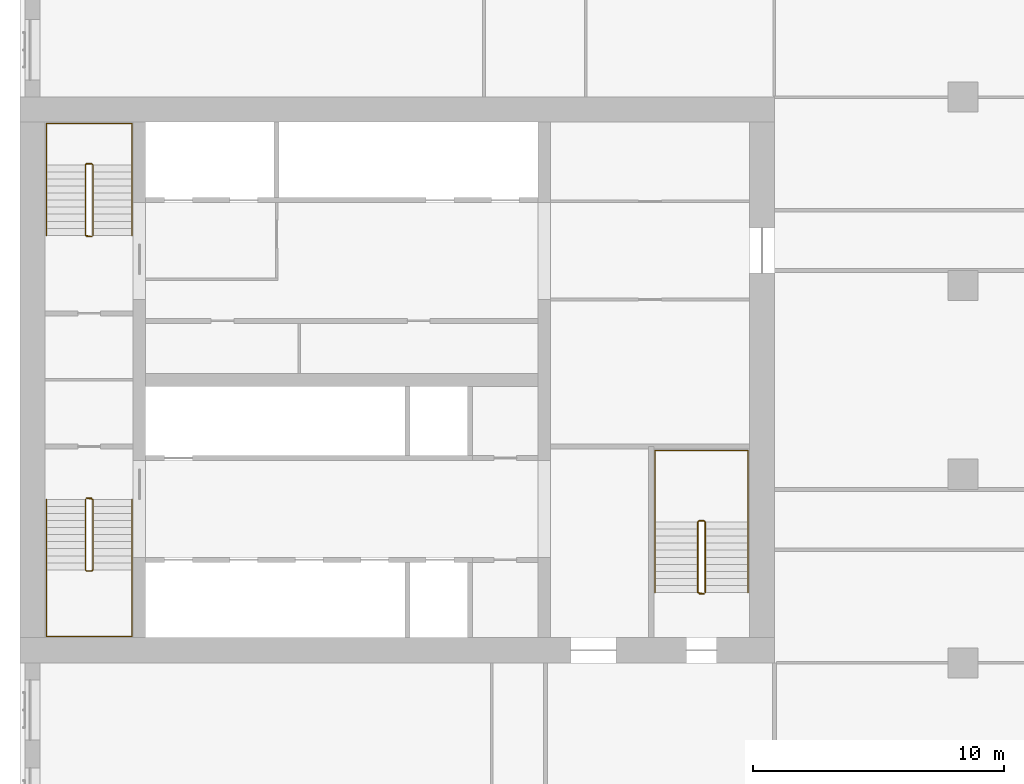
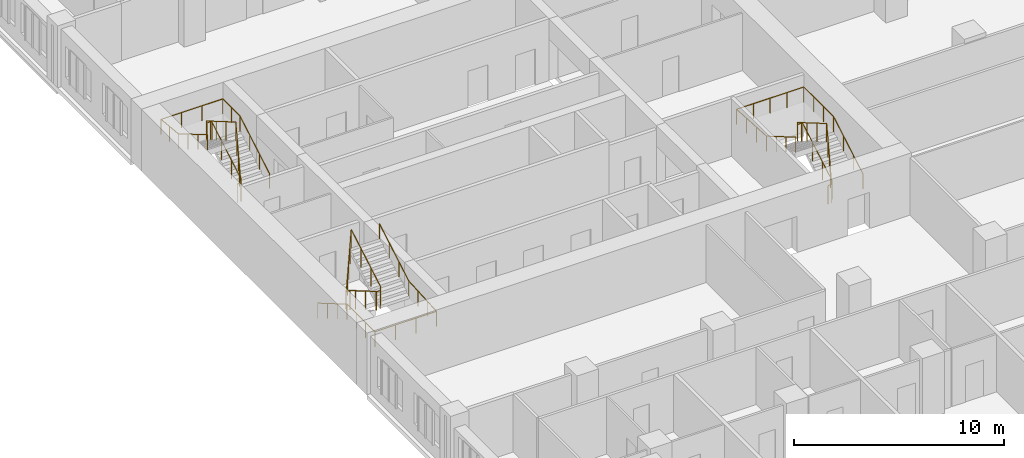
# One storey, part 14 of 14: 6 railings.
"""IFC4 building model written with IfcOpenShell, lengths in metres."""

from ifc_helpers import new_model, si_unit, direction, frame, origin, origin_2d, place, context, subcontext, project, spatial, circle, extrude, material, type_object, element, save


model = new_model("IFC4")

# Units and contexts
model_context = context("Model", 3, precision=1e-05, world=origin(), true_north=direction((0.0, 1.0)))
body_context = subcontext(model_context, "Body", "Model", "MODEL_VIEW")
ifc_project = project(units=[si_unit("LENGTHUNIT", "METRE"), si_unit("AREAUNIT", "SQUARE_METRE"), si_unit("VOLUMEUNIT", "CUBIC_METRE"), si_unit("PLANEANGLEUNIT", "RADIAN"), si_unit("MASSUNIT", "GRAM", prefix="KILO")], contexts=[model_context])

# Site, building, storey
site_placement = place(None, origin())
site = spatial("IfcSite", under=ifc_project, at=site_placement, CompositionType="ELEMENT")
building_placement = place(site_placement, origin())
building = spatial("IfcBuilding", under=site, at=building_placement, Name="Tamorin Gate", CompositionType="ELEMENT")
storey_placement = place(building_placement, frame((0.0, 0.0, 52.0)))
storey = spatial("IfcBuildingStorey", under=building, at=storey_placement, Name="L11", CompositionType="ELEMENT", Elevation=52.0)

# Railings
ifc_material_1 = material(Name="Painted steel balustrade", Category="steel")
railing_type_1 = type_object("IfcRailingType", Name="Stair guard 1100", PredefinedType="GUARDRAIL", material=ifc_material_1)
railing_1_placement = place(storey_placement, frame((32.60009765625, 66.5, 0.16357421875)))
element("IfcRailing", 1, at=railing_1_placement, inside=storey, type_object=railing_type_1, Name="L11 ST1 stair guard 1", PredefinedType="GUARDRAIL", context=body_context, shape_type="SweptSolid", body=[
    extrude(circle(Radius=0.02392578125, at=origin_2d()), frame((0.0, 0.0, 1.076171875), z_axis=(0.0, -0.863360870873, 0.504586966384), x_axis=(1.0, 0.0, 0.0)), (0.0, 0.0, 1.0), 3.2431640625),
    extrude(circle(Radius=0.02392578125, at=origin_2d()), frame((0.0, -2.800048828125, 2.71240234375), z_axis=(0.705375805398, -0.708833529934, 0.0), x_axis=(0.708833529934, 0.705375805398, 0.0)), (0.0, 0.0, 1.0), 0.070556640625),
    extrude(circle(Radius=0.02392578125, at=origin_2d()), frame((0.0498046875, -2.85009765625, 2.71240234375), z_axis=(1.0, 0.0, 0.0), x_axis=(0.0, 1.0, 0.0)), (0.0, 0.0, 1.0), 0.2001953125),
    extrude(circle(Radius=0.02392578125, at=origin_2d()), frame((0.25, -2.85009765625, 2.71240234375), z_axis=(0.279546231943, 0.280916556609, 0.91811752648), x_axis=(-0.708833529934, 0.705375805398, 0.0)), (0.0, 0.0, 1.0), 0.17822265625),
    extrude(circle(Radius=0.02392578125, at=origin_2d()), frame((0.2998046875, -2.800048828125, 2.8759765625), z_axis=(0.0, 0.863360870873, 0.504586966384), x_axis=(-1.0, 0.0, 0.0)), (0.0, 0.0, 1.0), 3.2431640625),
    extrude(circle(Radius=0.02392578125, at=origin_2d()), frame((0.2998046875, 0.0, 4.5126953125), z_axis=(-0.069269067181, 0.013867342551, -0.997501625634), x_axis=(-0.196300278283, -0.98054382908, 0.0)), (0.0, 0.0, 1.0), 3.609130859375),
    extrude(circle(Radius=0.02392578125, at=origin_2d()), frame((0.0498046875, 0.050048828125, 0.91259765625), z_axis=(1.0, 0.0, 0.0), x_axis=(0.0, 1.0, 0.0)), (0.0, 0.0, 1.0), 0.2001953125),
    extrude(circle(Radius=0.02099609375, at=origin_2d()), origin(), (0.0, 0.0, 1.0), 1.052001953125),
    extrude(circle(Radius=0.02099609375, at=origin_2d()), frame((0.0, -0.933349609375, 0.54541015625)), (0.0, 0.0, 1.0), 1.052001953125),
    extrude(circle(Radius=0.02099609375, at=origin_2d()), frame((0.0, -1.86669921875, 1.091064453125)), (0.0, 0.0, 1.0), 1.052001953125),
    extrude(circle(Radius=0.02099609375, at=origin_2d()), frame((0.0, -2.800048828125, 1.636474609375)), (0.0, 0.0, 1.0), 1.052001953125),
    extrude(circle(Radius=0.02099609375, at=origin_2d()), frame((0.0498046875, -2.85009765625, 1.636474609375)), (0.0, 0.0, 1.0), 1.052001953125),
    extrude(circle(Radius=0.02099609375, at=origin_2d()), frame((0.25, -2.85009765625, 1.636474609375)), (0.0, 0.0, 1.0), 1.052001953125),
    extrude(circle(Radius=0.02099609375, at=origin_2d()), frame((0.2998046875, -2.800048828125, 1.800048828125)), (0.0, 0.0, 1.0), 1.052001953125),
    extrude(circle(Radius=0.02099609375, at=origin_2d()), frame((0.2998046875, -1.86669921875, 2.345458984375)), (0.0, 0.0, 1.0), 1.052001953125),
    extrude(circle(Radius=0.02099609375, at=origin_2d()), frame((0.2998046875, -0.933349609375, 2.89111328125)), (0.0, 0.0, 1.0), 1.052001953125),
    extrude(circle(Radius=0.02099609375, at=origin_2d()), frame((0.2998046875, 0.0, 3.4365234375)), (0.0, 0.0, 1.0), 1.052001953125),
    extrude(circle(Radius=0.02099609375, at=origin_2d()), frame((0.2373046875, 0.012451171875, 2.53662109375)), (0.0, 0.0, 1.0), 1.052001953125),
    extrude(circle(Radius=0.02099609375, at=origin_2d()), frame((0.1748046875, 0.02490234375, 1.636474609375)), (0.0, 0.0, 1.0), 1.052001953125),
    extrude(circle(Radius=0.02099609375, at=origin_2d()), frame((0.1123046875, 0.03759765625, 0.736328125)), (0.0, 0.0, 1.0), 1.052001953125),
    extrude(circle(Radius=0.02099609375, at=origin_2d()), frame((0.0498046875, 0.050048828125, -0.16357421875)), (0.0, 0.0, 1.0), 1.052001953125),
    extrude(circle(Radius=0.02099609375, at=origin_2d()), frame((0.25, 0.050048828125, -0.16357421875)), (0.0, 0.0, 1.0), 1.052001953125),
])
railing_2_placement = place(storey_placement, frame((32.89990234375, 77.0, 0.16357421875)))
element("IfcRailing", 2, at=railing_2_placement, inside=storey, type_object=railing_type_1, Name="L11 ST2 stair guard 1", PredefinedType="GUARDRAIL", context=body_context, shape_type="SweptSolid", body=[
    extrude(circle(Radius=0.02392578125, at=origin_2d()), frame((0.0, 0.0, 1.076171875), z_axis=(0.0, 0.863360870873, 0.504586966384), x_axis=(-1.0, 0.0, 0.0)), (0.0, 0.0, 1.0), 3.2431640625),
    extrude(circle(Radius=0.02392578125, at=origin_2d()), frame((0.0, 2.800048828125, 2.71240234375), z_axis=(-0.705375805398, 0.708833529934, 0.0), x_axis=(-0.708833529934, -0.705375805398, 0.0)), (0.0, 0.0, 1.0), 0.070556640625),
    extrude(circle(Radius=0.02392578125, at=origin_2d()), frame((-0.0498046875, 2.85009765625, 2.71240234375), z_axis=(-1.0, 0.0, 0.0), x_axis=(0.0, -1.0, 0.0)), (0.0, 0.0, 1.0), 0.2001953125),
    extrude(circle(Radius=0.02392578125, at=origin_2d()), frame((-0.25, 2.85009765625, 2.71240234375), z_axis=(-0.279546231943, -0.280916556609, 0.91811752648), x_axis=(0.708833529934, -0.705375805398, 0.0)), (0.0, 0.0, 1.0), 0.17822265625),
    extrude(circle(Radius=0.02392578125, at=origin_2d()), frame((-0.2998046875, 2.800048828125, 2.8759765625), z_axis=(0.0, -0.863360870873, 0.504586966384), x_axis=(1.0, 0.0, 0.0)), (0.0, 0.0, 1.0), 3.2431640625),
    extrude(circle(Radius=0.02392578125, at=origin_2d()), frame((-0.2998046875, 0.0, 4.5126953125), z_axis=(0.069269067181, -0.013867342551, -0.997501625634), x_axis=(0.196300278283, 0.98054382908, 0.0)), (0.0, 0.0, 1.0), 3.609130859375),
    extrude(circle(Radius=0.02392578125, at=origin_2d()), frame((-0.0498046875, -0.050048828125, 0.91259765625), z_axis=(-1.0, 0.0, 0.0), x_axis=(0.0, -1.0, 0.0)), (0.0, 0.0, 1.0), 0.2001953125),
    extrude(circle(Radius=0.02099609375, at=origin_2d()), origin(), (0.0, 0.0, 1.0), 1.052001953125),
    extrude(circle(Radius=0.02099609375, at=origin_2d()), frame((0.0, 0.933349609375, 0.54541015625)), (0.0, 0.0, 1.0), 1.052001953125),
    extrude(circle(Radius=0.02099609375, at=origin_2d()), frame((0.0, 1.86669921875, 1.091064453125)), (0.0, 0.0, 1.0), 1.052001953125),
    extrude(circle(Radius=0.02099609375, at=origin_2d()), frame((0.0, 2.800048828125, 1.636474609375)), (0.0, 0.0, 1.0), 1.052001953125),
    extrude(circle(Radius=0.02099609375, at=origin_2d()), frame((-0.0498046875, 2.85009765625, 1.636474609375)), (0.0, 0.0, 1.0), 1.052001953125),
    extrude(circle(Radius=0.02099609375, at=origin_2d()), frame((-0.25, 2.85009765625, 1.636474609375)), (0.0, 0.0, 1.0), 1.052001953125),
    extrude(circle(Radius=0.02099609375, at=origin_2d()), frame((-0.2998046875, 2.800048828125, 1.800048828125)), (0.0, 0.0, 1.0), 1.052001953125),
    extrude(circle(Radius=0.02099609375, at=origin_2d()), frame((-0.2998046875, 1.86669921875, 2.345458984375)), (0.0, 0.0, 1.0), 1.052001953125),
    extrude(circle(Radius=0.02099609375, at=origin_2d()), frame((-0.2998046875, 0.933349609375, 2.89111328125)), (0.0, 0.0, 1.0), 1.052001953125),
    extrude(circle(Radius=0.02099609375, at=origin_2d()), frame((-0.2998046875, 0.0, 3.4365234375)), (0.0, 0.0, 1.0), 1.052001953125),
    extrude(circle(Radius=0.02099609375, at=origin_2d()), frame((-0.2373046875, -0.012451171875, 2.53662109375)), (0.0, 0.0, 1.0), 1.052001953125),
    extrude(circle(Radius=0.02099609375, at=origin_2d()), frame((-0.1748046875, -0.02490234375, 1.636474609375)), (0.0, 0.0, 1.0), 1.052001953125),
    extrude(circle(Radius=0.02099609375, at=origin_2d()), frame((-0.1123046875, -0.03759765625, 0.736328125)), (0.0, 0.0, 1.0), 1.052001953125),
    extrude(circle(Radius=0.02099609375, at=origin_2d()), frame((-0.0498046875, -0.050048828125, -0.16357421875)), (0.0, 0.0, 1.0), 1.052001953125),
    extrude(circle(Radius=0.02099609375, at=origin_2d()), frame((-0.25, -0.050048828125, -0.16357421875)), (0.0, 0.0, 1.0), 1.052001953125),
])
railing_3_placement = place(storey_placement, frame((57.25, 62.800048828125, 0.16357421875)))
element("IfcRailing", 3, at=railing_3_placement, inside=storey, type_object=railing_type_1, Name="L11 ST3 stair guard 1", PredefinedType="GUARDRAIL", context=body_context, shape_type="SweptSolid", body=[
    extrude(circle(Radius=0.02392578125, at=origin_2d()), frame((0.0, 0.0, 1.076171875), z_axis=(0.0, 0.863360870873, 0.504586966384), x_axis=(-1.0, 0.0, 0.0)), (0.0, 0.0, 1.0), 3.2431640625),
    extrude(circle(Radius=0.02392578125, at=origin_2d()), frame((0.0, 2.800048828125, 2.71240234375), z_axis=(-0.708833529934, 0.705375805398, 0.0), x_axis=(-0.705375805398, -0.708833529934, 0.0)), (0.0, 0.0, 1.0), 0.070556640625),
    extrude(circle(Radius=0.02392578125, at=origin_2d()), frame((-0.050048828125, 2.849853515625, 2.71240234375), z_axis=(-1.0, 0.0, 0.0), x_axis=(0.0, -1.0, 0.0)), (0.0, 0.0, 1.0), 0.199951171875),
    extrude(circle(Radius=0.02392578125, at=origin_2d()), frame((-0.25, 2.849853515625, 2.71240234375), z_axis=(-0.280916556609, -0.279546231943, 0.91811752648), x_axis=(0.705375805398, -0.708833529934, 0.0)), (0.0, 0.0, 1.0), 0.17822265625),
    extrude(circle(Radius=0.02392578125, at=origin_2d()), frame((-0.300048828125, 2.800048828125, 2.8759765625), z_axis=(0.0, -0.863360870873, 0.504586966384), x_axis=(1.0, 0.0, 0.0)), (0.0, 0.0, 1.0), 3.2431640625),
    extrude(circle(Radius=0.02392578125, at=origin_2d()), frame((-0.300048828125, 0.0, 4.5126953125), z_axis=(0.069269067181, -0.013867342551, -0.997501625634), x_axis=(0.196300278283, 0.98054382908, 0.0)), (0.0, 0.0, 1.0), 3.609130859375),
    extrude(circle(Radius=0.02392578125, at=origin_2d()), frame((-0.050048828125, -0.050048828125, 0.91259765625), z_axis=(-1.0, 0.0, 0.0), x_axis=(0.0, -1.0, 0.0)), (0.0, 0.0, 1.0), 0.199951171875),
    extrude(circle(Radius=0.02099609375, at=origin_2d()), origin(), (0.0, 0.0, 1.0), 1.052001953125),
    extrude(circle(Radius=0.02099609375, at=origin_2d()), frame((0.0, 0.933349609375, 0.54541015625)), (0.0, 0.0, 1.0), 1.052001953125),
    extrude(circle(Radius=0.02099609375, at=origin_2d()), frame((0.0, 1.86669921875, 1.091064453125)), (0.0, 0.0, 1.0), 1.052001953125),
    extrude(circle(Radius=0.02099609375, at=origin_2d()), frame((0.0, 2.800048828125, 1.636474609375)), (0.0, 0.0, 1.0), 1.052001953125),
    extrude(circle(Radius=0.02099609375, at=origin_2d()), frame((-0.050048828125, 2.849853515625, 1.636474609375)), (0.0, 0.0, 1.0), 1.052001953125),
    extrude(circle(Radius=0.02099609375, at=origin_2d()), frame((-0.25, 2.849853515625, 1.636474609375)), (0.0, 0.0, 1.0), 1.052001953125),
    extrude(circle(Radius=0.02099609375, at=origin_2d()), frame((-0.300048828125, 2.800048828125, 1.800048828125)), (0.0, 0.0, 1.0), 1.052001953125),
    extrude(circle(Radius=0.02099609375, at=origin_2d()), frame((-0.300048828125, 1.86669921875, 2.345458984375)), (0.0, 0.0, 1.0), 1.052001953125),
    extrude(circle(Radius=0.02099609375, at=origin_2d()), frame((-0.300048828125, 0.933349609375, 2.89111328125)), (0.0, 0.0, 1.0), 1.052001953125),
    extrude(circle(Radius=0.02099609375, at=origin_2d()), frame((-0.300048828125, 0.0, 3.4365234375)), (0.0, 0.0, 1.0), 1.052001953125),
    extrude(circle(Radius=0.02099609375, at=origin_2d()), frame((-0.237548828125, -0.012451171875, 2.53662109375)), (0.0, 0.0, 1.0), 1.052001953125),
    extrude(circle(Radius=0.02099609375, at=origin_2d()), frame((-0.175048828125, -0.02490234375, 1.636474609375)), (0.0, 0.0, 1.0), 1.052001953125),
    extrude(circle(Radius=0.02099609375, at=origin_2d()), frame((-0.112548828125, -0.03759765625, 0.736328125)), (0.0, 0.0, 1.0), 1.052001953125),
    extrude(circle(Radius=0.02099609375, at=origin_2d()), frame((-0.050048828125, -0.050048828125, -0.16357421875)), (0.0, 0.0, 1.0), 1.052001953125),
    extrude(circle(Radius=0.02099609375, at=origin_2d()), frame((-0.25, -0.050048828125, -0.16357421875)), (0.0, 0.0, 1.0), 1.052001953125),
])
ifc_material_2 = material(Name="Painted steel handrail", Category="steel")
railing_type_2 = type_object("IfcRailingType", Name="Stair handrail 900", PredefinedType="HANDRAIL", material=ifc_material_2)
railing_4_placement = place(storey_placement, frame((31.050048828125, 66.5, 0.16357421875)))
element("IfcRailing", 4, at=railing_4_placement, inside=storey, type_object=railing_type_2, Name="L11 ST1 stair handrail 1", PredefinedType="HANDRAIL", context=body_context, shape_type="SweptSolid", body=[
    extrude(circle(Radius=0.02392578125, at=origin_2d()), frame((0.0, 0.0, 0.8759765625), z_axis=(0.0, -0.863360870873, 0.504586966384), x_axis=(1.0, 0.0, 0.0)), (0.0, 0.0, 1.0), 3.2431640625),
    extrude(circle(Radius=0.02392578125, at=origin_2d()), frame((0.0, -2.800048828125, 2.51220703125), z_axis=(0.0, -1.0, 0.0), x_axis=(1.0, 0.0, 0.0)), (0.0, 0.0, 1.0), 2.64990234375),
    extrude(circle(Radius=0.02392578125, at=origin_2d()), frame((0.0, -5.449951171875, 2.51220703125), z_axis=(1.0, 0.0, 0.0), x_axis=(0.0, 1.0, 0.0)), (0.0, 0.0, 1.0), 3.39990234375),
    extrude(circle(Radius=0.02392578125, at=origin_2d()), frame((3.39990234375, -5.449951171875, 2.51220703125), z_axis=(0.0, 0.998100230056, 0.061611125312), x_axis=(-1.0, 0.0, 0.0)), (0.0, 0.0, 1.0), 2.655029296875),
    extrude(circle(Radius=0.02392578125, at=origin_2d()), frame((3.39990234375, -2.800048828125, 2.67578125), z_axis=(0.0, 0.863360870873, 0.504586966384), x_axis=(-1.0, 0.0, 0.0)), (0.0, 0.0, 1.0), 3.2431640625),
    extrude(circle(Radius=0.02099609375, at=origin_2d()), origin(), (0.0, 0.0, 1.0), 0.851806640625),
    extrude(circle(Radius=0.02099609375, at=origin_2d()), frame((0.0, -0.933349609375, 0.54541015625)), (0.0, 0.0, 1.0), 0.851806640625),
    extrude(circle(Radius=0.02099609375, at=origin_2d()), frame((0.0, -1.86669921875, 1.091064453125)), (0.0, 0.0, 1.0), 0.851806640625),
    extrude(circle(Radius=0.02099609375, at=origin_2d()), frame((0.0, -2.800048828125, 1.636474609375)), (0.0, 0.0, 1.0), 0.851806640625),
    extrude(circle(Radius=0.02099609375, at=origin_2d()), frame((0.0, -3.683349609375, 1.636474609375)), (0.0, 0.0, 1.0), 0.851806640625),
    extrude(circle(Radius=0.02099609375, at=origin_2d()), frame((0.0, -4.566650390625, 1.636474609375)), (0.0, 0.0, 1.0), 0.851806640625),
    extrude(circle(Radius=0.02099609375, at=origin_2d()), frame((0.0, -5.449951171875, 1.636474609375)), (0.0, 0.0, 1.0), 0.851806640625),
    extrude(circle(Radius=0.02099609375, at=origin_2d()), frame((1.13330078125, -5.449951171875, 1.636474609375)), (0.0, 0.0, 1.0), 0.851806640625),
    extrude(circle(Radius=0.02099609375, at=origin_2d()), frame((2.2666015625, -5.449951171875, 1.636474609375)), (0.0, 0.0, 1.0), 0.851806640625),
    extrude(circle(Radius=0.02099609375, at=origin_2d()), frame((3.39990234375, -5.449951171875, 1.636474609375)), (0.0, 0.0, 1.0), 0.851806640625),
    extrude(circle(Radius=0.02099609375, at=origin_2d()), frame((3.39990234375, -4.566650390625, 1.69091796875)), (0.0, 0.0, 1.0), 0.851806640625),
    extrude(circle(Radius=0.02099609375, at=origin_2d()), frame((3.39990234375, -3.683349609375, 1.74560546875)), (0.0, 0.0, 1.0), 0.851806640625),
    extrude(circle(Radius=0.02099609375, at=origin_2d()), frame((3.39990234375, -2.800048828125, 1.800048828125)), (0.0, 0.0, 1.0), 0.851806640625),
    extrude(circle(Radius=0.02099609375, at=origin_2d()), frame((3.39990234375, -1.86669921875, 2.345458984375)), (0.0, 0.0, 1.0), 0.851806640625),
    extrude(circle(Radius=0.02099609375, at=origin_2d()), frame((3.39990234375, -0.933349609375, 2.89111328125)), (0.0, 0.0, 1.0), 0.851806640625),
    extrude(circle(Radius=0.02099609375, at=origin_2d()), frame((3.39990234375, 0.0, 3.4365234375)), (0.0, 0.0, 1.0), 0.851806640625),
])
railing_5_placement = place(storey_placement, frame((34.449951171875, 77.0, 0.16357421875)))
element("IfcRailing", 5, at=railing_5_placement, inside=storey, type_object=railing_type_2, Name="L11 ST2 stair handrail 1", PredefinedType="HANDRAIL", context=body_context, shape_type="SweptSolid", body=[
    extrude(circle(Radius=0.02392578125, at=origin_2d()), frame((0.0, 0.0, 0.8759765625), z_axis=(0.0, 0.863360870873, 0.504586966384), x_axis=(-1.0, 0.0, 0.0)), (0.0, 0.0, 1.0), 3.2431640625),
    extrude(circle(Radius=0.02392578125, at=origin_2d()), frame((0.0, 2.800048828125, 2.51220703125), z_axis=(0.0, 1.0, 0.0), x_axis=(-1.0, 0.0, 0.0)), (0.0, 0.0, 1.0), 1.64990234375),
    extrude(circle(Radius=0.02392578125, at=origin_2d()), frame((0.0, 4.449951171875, 2.51220703125), z_axis=(-1.0, 0.0, 0.0), x_axis=(0.0, -1.0, 0.0)), (0.0, 0.0, 1.0), 3.39990234375),
    extrude(circle(Radius=0.02392578125, at=origin_2d()), frame((-3.39990234375, 4.449951171875, 2.51220703125), z_axis=(0.0, -0.995121390814, 0.098658084026), x_axis=(1.0, 0.0, 0.0)), (0.0, 0.0, 1.0), 1.657958984375),
    extrude(circle(Radius=0.02392578125, at=origin_2d()), frame((-3.39990234375, 2.800048828125, 2.67578125), z_axis=(0.0, -0.863360870873, 0.504586966384), x_axis=(1.0, 0.0, 0.0)), (0.0, 0.0, 1.0), 3.2431640625),
    extrude(circle(Radius=0.02099609375, at=origin_2d()), origin(), (0.0, 0.0, 1.0), 0.851806640625),
    extrude(circle(Radius=0.02099609375, at=origin_2d()), frame((0.0, 0.933349609375, 0.54541015625)), (0.0, 0.0, 1.0), 0.851806640625),
    extrude(circle(Radius=0.02099609375, at=origin_2d()), frame((0.0, 1.86669921875, 1.091064453125)), (0.0, 0.0, 1.0), 0.851806640625),
    extrude(circle(Radius=0.02099609375, at=origin_2d()), frame((0.0, 2.800048828125, 1.636474609375)), (0.0, 0.0, 1.0), 0.851806640625),
    extrude(circle(Radius=0.02099609375, at=origin_2d()), frame((0.0, 3.625, 1.636474609375)), (0.0, 0.0, 1.0), 0.851806640625),
    extrude(circle(Radius=0.02099609375, at=origin_2d()), frame((0.0, 4.449951171875, 1.636474609375)), (0.0, 0.0, 1.0), 0.851806640625),
    extrude(circle(Radius=0.02099609375, at=origin_2d()), frame((-1.13330078125, 4.449951171875, 1.636474609375)), (0.0, 0.0, 1.0), 0.851806640625),
    extrude(circle(Radius=0.02099609375, at=origin_2d()), frame((-2.2666015625, 4.449951171875, 1.636474609375)), (0.0, 0.0, 1.0), 0.851806640625),
    extrude(circle(Radius=0.02099609375, at=origin_2d()), frame((-3.39990234375, 4.449951171875, 1.636474609375)), (0.0, 0.0, 1.0), 0.851806640625),
    extrude(circle(Radius=0.02099609375, at=origin_2d()), frame((-3.39990234375, 3.625, 1.71826171875)), (0.0, 0.0, 1.0), 0.851806640625),
    extrude(circle(Radius=0.02099609375, at=origin_2d()), frame((-3.39990234375, 2.800048828125, 1.800048828125)), (0.0, 0.0, 1.0), 0.851806640625),
    extrude(circle(Radius=0.02099609375, at=origin_2d()), frame((-3.39990234375, 1.86669921875, 2.345458984375)), (0.0, 0.0, 1.0), 0.851806640625),
    extrude(circle(Radius=0.02099609375, at=origin_2d()), frame((-3.39990234375, 0.933349609375, 2.89111328125)), (0.0, 0.0, 1.0), 0.851806640625),
    extrude(circle(Radius=0.02099609375, at=origin_2d()), frame((-3.39990234375, 0.0, 3.4365234375)), (0.0, 0.0, 1.0), 0.851806640625),
])
railing_6_placement = place(storey_placement, frame((58.949951171875, 62.800048828125, 0.16357421875)))
element("IfcRailing", 6, at=railing_6_placement, inside=storey, type_object=railing_type_2, Name="L11 ST3 stair handrail 1", PredefinedType="HANDRAIL", context=body_context, shape_type="SweptSolid", body=[
    extrude(circle(Radius=0.02392578125, at=origin_2d()), frame((0.0, 0.0, 0.8759765625), z_axis=(0.0, 0.863360870873, 0.504586966384), x_axis=(-1.0, 0.0, 0.0)), (0.0, 0.0, 1.0), 3.2431640625),
    extrude(circle(Radius=0.02392578125, at=origin_2d()), frame((0.0, 2.800048828125, 2.51220703125), z_axis=(0.0, 1.0, 0.0), x_axis=(-1.0, 0.0, 0.0)), (0.0, 0.0, 1.0), 2.849853515625),
    extrude(circle(Radius=0.02392578125, at=origin_2d()), frame((0.0, 5.64990234375, 2.51220703125), z_axis=(-1.0, 0.0, 0.0), x_axis=(0.0, -1.0, 0.0)), (0.0, 0.0, 1.0), 3.699951171875),
    extrude(circle(Radius=0.02392578125, at=origin_2d()), frame((-3.699951171875, 5.64990234375, 2.51220703125), z_axis=(0.0, -0.998356827416, 0.057303098978), x_axis=(1.0, 0.0, 0.0)), (0.0, 0.0, 1.0), 2.8544921875),
    extrude(circle(Radius=0.02392578125, at=origin_2d()), frame((-3.699951171875, 2.800048828125, 2.67578125), z_axis=(0.0, -0.863360870873, 0.504586966384), x_axis=(1.0, 0.0, 0.0)), (0.0, 0.0, 1.0), 3.2431640625),
    extrude(circle(Radius=0.02099609375, at=origin_2d()), origin(), (0.0, 0.0, 1.0), 0.851806640625),
    extrude(circle(Radius=0.02099609375, at=origin_2d()), frame((0.0, 0.933349609375, 0.54541015625)), (0.0, 0.0, 1.0), 0.851806640625),
    extrude(circle(Radius=0.02099609375, at=origin_2d()), frame((0.0, 1.86669921875, 1.091064453125)), (0.0, 0.0, 1.0), 0.851806640625),
    extrude(circle(Radius=0.02099609375, at=origin_2d()), frame((0.0, 2.800048828125, 1.636474609375)), (0.0, 0.0, 1.0), 0.851806640625),
    extrude(circle(Radius=0.02099609375, at=origin_2d()), frame((0.0, 3.75, 1.636474609375)), (0.0, 0.0, 1.0), 0.851806640625),
    extrude(circle(Radius=0.02099609375, at=origin_2d()), frame((0.0, 4.699951171875, 1.636474609375)), (0.0, 0.0, 1.0), 0.851806640625),
    extrude(circle(Radius=0.02099609375, at=origin_2d()), frame((0.0, 5.64990234375, 1.636474609375)), (0.0, 0.0, 1.0), 0.851806640625),
    extrude(circle(Radius=0.02099609375, at=origin_2d()), frame((-0.925048828125, 5.64990234375, 1.636474609375)), (0.0, 0.0, 1.0), 0.851806640625),
    extrude(circle(Radius=0.02099609375, at=origin_2d()), frame((-1.85009765625, 5.64990234375, 1.636474609375)), (0.0, 0.0, 1.0), 0.851806640625),
    extrude(circle(Radius=0.02099609375, at=origin_2d()), frame((-2.77490234375, 5.64990234375, 1.636474609375)), (0.0, 0.0, 1.0), 0.851806640625),
    extrude(circle(Radius=0.02099609375, at=origin_2d()), frame((-3.699951171875, 5.64990234375, 1.636474609375)), (0.0, 0.0, 1.0), 0.851806640625),
    extrude(circle(Radius=0.02099609375, at=origin_2d()), frame((-3.699951171875, 4.699951171875, 1.69091796875)), (0.0, 0.0, 1.0), 0.851806640625),
    extrude(circle(Radius=0.02099609375, at=origin_2d()), frame((-3.699951171875, 3.75, 1.74560546875)), (0.0, 0.0, 1.0), 0.851806640625),
    extrude(circle(Radius=0.02099609375, at=origin_2d()), frame((-3.699951171875, 2.800048828125, 1.800048828125)), (0.0, 0.0, 1.0), 0.851806640625),
    extrude(circle(Radius=0.02099609375, at=origin_2d()), frame((-3.699951171875, 1.86669921875, 2.345458984375)), (0.0, 0.0, 1.0), 0.851806640625),
    extrude(circle(Radius=0.02099609375, at=origin_2d()), frame((-3.699951171875, 0.933349609375, 2.89111328125)), (0.0, 0.0, 1.0), 0.851806640625),
    extrude(circle(Radius=0.02099609375, at=origin_2d()), frame((-3.699951171875, 0.0, 3.4365234375)), (0.0, 0.0, 1.0), 0.851806640625),
])

save(model, "model.ifc")
